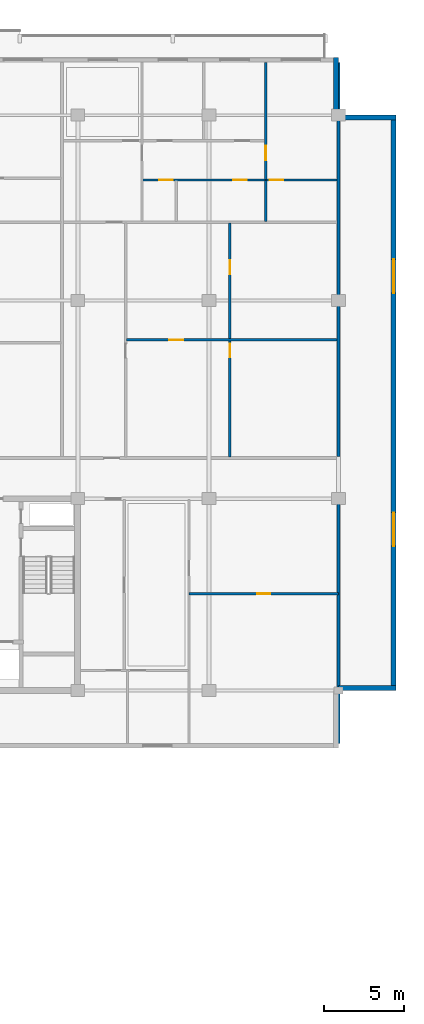
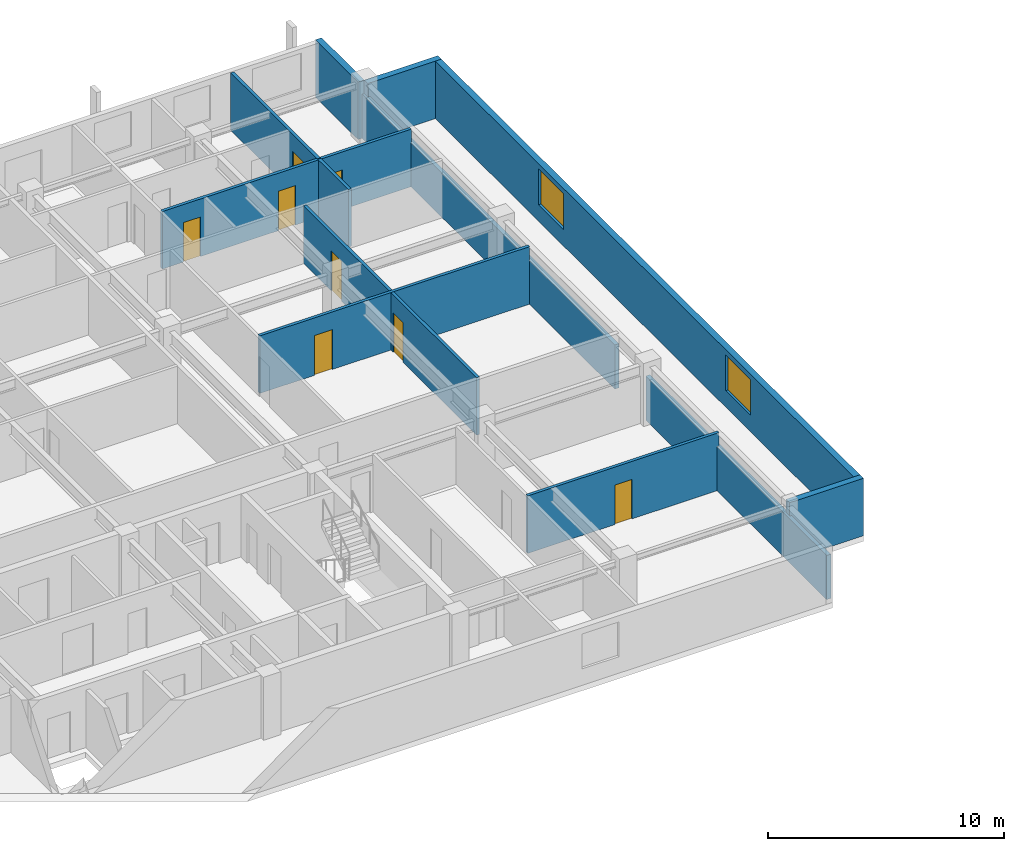
# One storey, part 17 of 24: 12 walls, 8 doors, 2 windows, 10 openings.
"""IFC4 building model written with IfcOpenShell, lengths in metres."""

from ifc_helpers import new_model, si_unit, direction, frame, frame_2d, origin, place, context, subcontext, project, spatial, rectangle, extrude, material, layer, layer_set, type_object, element, fill, save


model = new_model("IFC4")

# Units and contexts
model_context = context("Model", 3, precision=1e-05, world=origin(), true_north=direction((0.0, 1.0)))
body_context = subcontext(model_context, "Body", "Model", "MODEL_VIEW")
ifc_project = project(units=[si_unit("LENGTHUNIT", "METRE"), si_unit("AREAUNIT", "SQUARE_METRE"), si_unit("VOLUMEUNIT", "CUBIC_METRE"), si_unit("PLANEANGLEUNIT", "RADIAN"), si_unit("MASSUNIT", "GRAM", prefix="KILO")], contexts=[model_context])

# Site, building, storey
site_placement = place(None, origin())
site = spatial("IfcSite", under=ifc_project, at=site_placement, CompositionType="ELEMENT")
building_placement = place(site_placement, origin())
building = spatial("IfcBuilding", under=site, at=building_placement, Name="Korimba Cascade Residences", CompositionType="ELEMENT")
storey_placement = place(building_placement, frame((0.0, 0.0, 168.60009765625)))
storey = spatial("IfcBuildingStorey", under=building, at=storey_placement, Name="L48", CompositionType="ELEMENT", Elevation=168.60009765625)

# Wall
ifc_material_1 = material(Name="Precast concrete C40/50", Category="concrete")
ifc_layer_1 = layer(ifc_material_1, 0.300048828125)
ifc_layer_set_1 = layer_set([ifc_layer_1], Name="Precast concrete C40/50")
wall_type_1 = type_object("IfcWallType", Name="EW-STONE-300", PredefinedType="STANDARD", material=ifc_layer_set_1)
wall_1_placement = place(storey_placement, frame((128.39990234375, 55.35009765625, 0.0), z_axis=(0.0, 0.0, 1.0), x_axis=(1.0, 0.0, 0.0)))
element("IfcWall", 1, at=wall_1_placement, inside=storey, type_object=wall_type_1, Name="L48 T1 Perimeter Stone Wall E02", PredefinedType="STANDARD", context=body_context, shape_type="SweptSolid", body=[
    extrude(rectangle(XDim=3.60009765625, YDim=0.300048828125, at=frame_2d((1.800048828125, 0.0))), origin(), (0.0, 0.0, 1.0), 2.969970703125),
])

# Wall, openings, windows
wall_2_placement = place(storey_placement, frame((131.85009765625, 55.199951171875, 0.0), z_axis=(0.0, 0.0, 1.0), x_axis=(0.0, 1.0, 0.0)))
wall_2 = element("IfcWall", 2, at=wall_2_placement, inside=storey, type_object=wall_type_1, Name="L48 T1 Perimeter Stone Wall E03", PredefinedType="STANDARD", context=body_context, shape_type="SweptSolid", body=[
    extrude(rectangle(XDim=36.0, YDim=0.300048828125, at=frame_2d((18.0, 0.0))), origin(), (0.0, 0.0, 1.0), 2.969970703125),
])
opening_1_placement = place(wall_2_placement, frame((9.030029296875, 0.0, 0.85009765625)))
opening_1 = element("IfcOpeningElement", 3, at=opening_1_placement, cuts=wall_2, Name="Opening W-03", PredefinedType="OPENING", context=body_context, shape_type="SweptSolid", body=[
    extrude(rectangle(XDim=2.10009765625, YDim=1.85009765625, at=frame_2d((1.050048828125, 0.925048828125))), frame((0.0, 0.16015625, 0.0), z_axis=(0.0, -1.0, 0.0), x_axis=(1.0, 0.0, 0.0)), (0.0, 0.0, 1.0), 0.320068359375),
])
opening_2_placement = place(wall_2_placement, frame((24.8701171875, 0.0, 0.85009765625)))
opening_2 = element("IfcOpeningElement", 4, at=opening_2_placement, cuts=wall_2, Name="Opening W-03", PredefinedType="OPENING", context=body_context, shape_type="SweptSolid", body=[
    extrude(rectangle(XDim=2.10009765625, YDim=1.85009765625, at=frame_2d((1.050048828125, 0.925048828125))), frame((0.0, 0.16015625, 0.0), z_axis=(0.0, -1.0, 0.0), x_axis=(1.0, 0.0, 0.0)), (0.0, 0.0, 1.0), 0.320068359375),
])
ifc_material_2 = material(Name="Double-Glazed Aluminium Window", Category="aluminium")
window_type = type_object("IfcWindowType", Name="WIN-CRN-2100", PartitioningType="DOUBLE_PANEL_HORIZONTAL", PredefinedType="WINDOW", material=ifc_material_2)
window_1_placement = place(opening_1_placement, origin())
window_1 = element("IfcWindow", 5, at=window_1_placement, inside=storey, type_object=window_type, Name="L48 T1 End View Window 3.1", OverallHeight=1.85009765625, OverallWidth=2.10009765625, PartitioningType="DOUBLE_PANEL_HORIZONTAL", PredefinedType="WINDOW", context=body_context, shape_type="SweptSolid", body=[
    extrude(rectangle(XDim=2.10009765625, YDim=1.85009765625, at=frame_2d((1.050048828125, 0.925048828125))), frame((0.0, 0.030029296875, 0.0), z_axis=(0.0, -1.0, 0.0), x_axis=(1.0, 0.0, 0.0)), (0.0, 0.0, 1.0), 0.06005859375),
])
fill(opening_1, window_1)
window_2_placement = place(opening_2_placement, origin())
window_2 = element("IfcWindow", 6, at=window_2_placement, inside=storey, type_object=window_type, Name="L48 T1 End View Window 3.2", OverallHeight=1.85009765625, OverallWidth=2.10009765625, PartitioningType="DOUBLE_PANEL_HORIZONTAL", PredefinedType="WINDOW", context=body_context, shape_type="SweptSolid", body=[
    extrude(rectangle(XDim=2.10009765625, YDim=1.85009765625, at=frame_2d((1.050048828125, 0.925048828125))), frame((0.0, 0.030029296875, 0.0), z_axis=(0.0, -1.0, 0.0), x_axis=(1.0, 0.0, 0.0)), (0.0, 0.0, 1.0), 0.06005859375),
])
fill(opening_2, window_2)

# Walls
for number, where, z_axis, x_axis, name in (
    (7, (132.0, 91.050048828125, 0.0), (0.0, 0.0, 1.0), (-1.0, 0.0, 0.0), "L48 T1 Perimeter Stone Wall E04"),
    (8, (128.25, 91.199951171875, 0.0), (0.0, 0.0, 1.0), (0.0, 1.0, 0.0), "L48 T1 Perimeter Stone Wall E05"),
):
    element("IfcWall", number, at=place(storey_placement, frame(where, z_axis=z_axis, x_axis=x_axis)), inside=storey, type_object=wall_type_1, Name=name, PredefinedType="STANDARD", context=body_context, shape_type="SweptSolid", body=[
        extrude(rectangle(XDim=3.60009765625, YDim=0.300048828125, at=frame_2d((1.800048828125, 0.0))), origin(), (0.0, 0.0, 1.0), 2.969970703125),
    ])
ifc_layer_2 = layer(ifc_material_1, 0.199951171875)
ifc_layer_set_2 = layer_set([ifc_layer_2], Name="Precast concrete C40/50")
wall_type_2 = type_object("IfcWallType", Name="WAL-IT-200", PredefinedType="PARTITIONING", material=ifc_layer_set_2)
wall_3_placement = place(storey_placement, frame((128.39990234375, 51.89990234375, 0.0), z_axis=(0.0, 0.0, 1.0), x_axis=(0.0, 1.0, 0.0)))
element("IfcWall", 9, at=wall_3_placement, inside=storey, type_object=wall_type_2, Name="L48 Partition Wall WAL-L48-T1-FE-WR", PredefinedType="PARTITIONING", context=body_context, shape_type="SweptSolid", body=[
    extrude(rectangle(XDim=15.300048828125, YDim=0.199951171875, at=frame_2d((7.64990234375, 0.0))), origin(), (0.0, 0.0, 1.0), 2.277099609375),
])
wall_4_placement = place(storey_placement, frame((128.39990234375, 69.830078125, 0.0), z_axis=(0.0, 0.0, 1.0), x_axis=(0.0, 1.0, 0.0)))
element("IfcWall", 10, at=wall_4_placement, inside=storey, type_object=wall_type_2, Name="L48 Partition Wall WAL-L48-T1-BNDWR", PredefinedType="PARTITIONING", context=body_context, shape_type="SweptSolid", body=[
    extrude(rectangle(XDim=24.669921875, YDim=0.199951171875, at=frame_2d((12.3349609375, 0.0))), origin(), (0.0, 0.0, 1.0), 2.277099609375),
])

# Wall, opening, door
ifc_material_3 = material(Name="Insulated Acoustic Stud Partition", Category="gypsum")
ifc_layer_3 = layer(ifc_material_3, 0.14990234375)
ifc_layer_set_3 = layer_set([ifc_layer_3], Name="Insulated Acoustic Stud Partition")
wall_type_3 = type_object("IfcWallType", Name="WAL-PART-150", PredefinedType="PARTITIONING", material=ifc_layer_set_3)
wall_5_placement = place(storey_placement, frame((119.050048828125, 61.25, 0.0), z_axis=(0.0, 0.0, 1.0), x_axis=(1.0, 0.0, 0.0)))
wall_5 = element("IfcWall", 11, at=wall_5_placement, inside=storey, type_object=wall_type_3, Name="L48 Partition Wall WAL-L48-T1-FE-STH", PredefinedType="PARTITIONING", context=body_context, shape_type="SweptSolid", body=[
    extrude(rectangle(XDim=9.349853515625, YDim=0.14990234375, at=frame_2d((4.6748046875, 0.0))), origin(), (0.0, 0.0, 1.0), 2.969970703125),
])
opening_3_placement = place(wall_5_placement, frame((4.2548828125, 0.0, 0.0)))
opening_3 = element("IfcOpeningElement", 12, at=opening_3_placement, cuts=wall_5, Name="Opening D-BT1", PredefinedType="OPENING", context=body_context, shape_type="SweptSolid", body=[
    extrude(rectangle(XDim=0.840087890625, YDim=2.0400390625, at=frame_2d((0.419921875, 1.02001953125))), frame((0.0, 0.0849609375, 0.0), z_axis=(0.0, -1.0, 0.0), x_axis=(1.0, 0.0, 0.0)), (0.0, 0.0, 1.0), 0.169921875),
])
ifc_material_4 = material(Name="Moisture-Resistant Bathroom Timber Door", Category="wood")
door_type_1 = type_object("IfcDoorType", Name="DR-INT-850", OperationType="NOTDEFINED", PredefinedType="DOOR", material=ifc_material_4)
door_1_placement = place(opening_3_placement, origin())
door_1 = element("IfcDoor", 13, at=door_1_placement, inside=storey, type_object=door_type_1, Name="L48-T1-FE Dressing Store Door", OperationType="SINGLE_SWING_RIGHT", OverallHeight=2.0400390625, OverallWidth=0.840087890625, PredefinedType="DOOR", context=body_context, shape_type="SweptSolid", body=[
    extrude(rectangle(XDim=0.840087890625, YDim=2.0400390625, at=frame_2d((0.419921875, 1.02001953125))), frame((0.0, 0.02490234375, 0.0), z_axis=(0.0, -1.0, 0.0), x_axis=(1.0, 0.0, 0.0)), (0.0, 0.0, 1.0), 0.050048828125),
])
fill(opening_3, door_1)

# Wall, openings, doors
wall_6_placement = place(storey_placement, frame((121.610107421875, 69.81005859375, 0.0), z_axis=(0.0, 0.0, 1.0), x_axis=(0.0, 1.0, 0.0)))
wall_6 = element("IfcWall", 14, at=wall_6_placement, inside=storey, type_object=wall_type_3, Name="L48 Partition Wall WAL-L48-T1-U04-FMV", PredefinedType="PARTITIONING", context=body_context, shape_type="SweptSolid", body=[
    extrude(rectangle(XDim=14.64990234375, YDim=0.14990234375, at=frame_2d((7.324951171875, 0.0))), origin(), (0.0, 0.0, 1.0), 2.969970703125),
])
opening_4_placement = place(wall_6_placement, frame((6.235107421875, 0.0, 0.0)))
opening_4 = element("IfcOpeningElement", 15, at=opening_4_placement, cuts=wall_6, Name="Opening D-BT1", PredefinedType="OPENING", context=body_context, shape_type="SweptSolid", body=[
    extrude(rectangle(XDim=0.840087890625, YDim=2.0400390625, at=frame_2d((0.419921875, 1.02001953125))), frame((0.0, 0.0849609375, 0.0), z_axis=(0.0, -1.0, 0.0), x_axis=(1.0, 0.0, 0.0)), (0.0, 0.0, 1.0), 0.169921875),
])
opening_5_placement = place(wall_6_placement, frame((11.4326171875, 0.0, 0.0)))
opening_5 = element("IfcOpeningElement", 16, at=opening_5_placement, cuts=wall_6, Name="Opening D-IN2", PredefinedType="OPENING", context=body_context, shape_type="SweptSolid", body=[
    extrude(rectangle(XDim=0.8798828125, YDim=2.06005859375, at=frame_2d((0.43994140625, 1.030029296875))), frame((0.0, 0.0849609375, 0.0), z_axis=(0.0, -1.0, 0.0), x_axis=(1.0, 0.0, 0.0)), (0.0, 0.0, 1.0), 0.169921875),
])
door_2_placement = place(opening_4_placement, origin())
door_2 = element("IfcDoor", 17, at=door_2_placement, inside=storey, type_object=door_type_1, Name="L48-T1-U04 Wardrobe Door", OperationType="SINGLE_SWING_LEFT", OverallHeight=2.0400390625, OverallWidth=0.840087890625, PredefinedType="DOOR", context=body_context, shape_type="SweptSolid", body=[
    extrude(rectangle(XDim=0.840087890625, YDim=2.0400390625, at=frame_2d((0.419921875, 1.02001953125))), frame((0.0, 0.02490234375, 0.0), z_axis=(0.0, -1.0, 0.0), x_axis=(1.0, 0.0, 0.0)), (0.0, 0.0, 1.0), 0.050048828125),
])
fill(opening_4, door_2)
ifc_material_5 = material(Name="Acoustic Timber Bedroom Door", Category="wood")
door_type_2 = type_object("IfcDoorType", Name="DR-INT-880", OperationType="NOTDEFINED", PredefinedType="DOOR", material=ifc_material_5)
door_3_placement = place(opening_5_placement, origin())
door_3 = element("IfcDoor", 18, at=door_3_placement, inside=storey, type_object=door_type_2, Name="L48-T1-U04 Music Lounge Door", OperationType="SINGLE_SWING_RIGHT", OverallHeight=2.06005859375, OverallWidth=0.8798828125, PredefinedType="DOOR", context=body_context, shape_type="SweptSolid", body=[
    extrude(rectangle(XDim=0.8798828125, YDim=2.06005859375, at=frame_2d((0.43994140625, 1.030029296875))), frame((0.0, 0.02490234375, 0.0), z_axis=(0.0, -1.0, 0.0), x_axis=(1.0, 0.0, 0.0)), (0.0, 0.0, 1.0), 0.050048828125),
])
fill(opening_5, door_3)

# Wall, opening, door
wall_7_placement = place(storey_placement, frame((115.14013671875, 77.135009765625, 0.0), z_axis=(0.0, 0.0, 1.0), x_axis=(1.0, 0.0, 0.0)))
wall_7 = element("IfcWall", 19, at=wall_7_placement, inside=storey, type_object=wall_type_3, Name="L48 Partition Wall WAL-L48-T1-U04-FMH", PredefinedType="PARTITIONING", context=body_context, shape_type="SweptSolid", body=[
    extrude(rectangle(XDim=13.179931640625, YDim=0.14990234375, at=frame_2d((6.58984375, 0.0))), origin(), (0.0, 0.0, 1.0), 2.969970703125),
])
opening_6_placement = place(wall_7_placement, frame((2.6591796875, 0.0, 0.0)))
opening_6 = element("IfcOpeningElement", 20, at=opening_6_placement, cuts=wall_7, Name="Opening D-IN2", PredefinedType="OPENING", context=body_context, shape_type="SweptSolid", body=[
    extrude(rectangle(XDim=0.8798828125, YDim=2.06005859375, at=frame_2d((0.43994140625, 1.030029296875))), frame((0.0, 0.0849609375, 0.0), z_axis=(0.0, -1.0, 0.0), x_axis=(1.0, 0.0, 0.0)), (0.0, 0.0, 1.0), 0.169921875),
])
door_4_placement = place(opening_6_placement, origin())
door_4 = element("IfcDoor", 21, at=door_4_placement, inside=storey, type_object=door_type_2, Name="L48-T1-U04 Library Salon Door", OperationType="SINGLE_SWING_LEFT", OverallHeight=2.06005859375, OverallWidth=0.8798828125, PredefinedType="DOOR", context=body_context, shape_type="SweptSolid", body=[
    extrude(rectangle(XDim=0.8798828125, YDim=2.06005859375, at=frame_2d((0.43994140625, 1.030029296875))), frame((0.0, 0.02490234375, 0.0), z_axis=(0.0, -1.0, 0.0), x_axis=(1.0, 0.0, 0.0)), (0.0, 0.0, 1.0), 0.050048828125),
])
fill(opening_6, door_4)

# Wall
wall_8_placement = place(storey_placement, frame((123.85009765625, 84.5400390625, 0.0), z_axis=(0.0, 0.0, 1.0), x_axis=(0.0, 1.0, 0.0)))
element("IfcWall", 22, at=wall_8_placement, inside=storey, type_object=wall_type_3, Name="L48 Partition Wall WAL-L48-T1-U04-VBATH", PredefinedType="PARTITIONING", context=body_context, shape_type="SweptSolid", body=[
    extrude(rectangle(XDim=2.580078125, YDim=0.14990234375, at=frame_2d((1.2900390625, 0.0))), origin(), (0.0, 0.0, 1.0), 2.969970703125),
])

# Wall, opening, door
wall_9_placement = place(storey_placement, frame((123.85009765625, 87.159912109375, 0.0), z_axis=(0.0, 0.0, 1.0), x_axis=(0.0, 1.0, 0.0)))
wall_9 = element("IfcWall", 23, at=wall_9_placement, inside=storey, type_object=wall_type_3, Name="L48 Partition Wall WAL-L48-T1-U04-V2FULL", PredefinedType="PARTITIONING", context=body_context, shape_type="SweptSolid", body=[
    extrude(rectangle(XDim=7.340087890625, YDim=0.14990234375, at=frame_2d((3.669921875, 0.0))), origin(), (0.0, 0.0, 1.0), 2.969970703125),
])
opening_7_placement = place(wall_9_placement, frame((1.199951171875, 0.0, 0.0)))
opening_7 = element("IfcOpeningElement", 24, at=opening_7_placement, cuts=wall_9, Name="Opening D-IN1", PredefinedType="OPENING", context=body_context, shape_type="SweptSolid", body=[
    extrude(rectangle(XDim=0.919921875, YDim=2.080078125, at=frame_2d((0.4599609375, 1.0400390625))), frame((0.0, 0.0849609375, 0.0), z_axis=(0.0, -1.0, 0.0), x_axis=(1.0, 0.0, 0.0)), (0.0, 0.0, 1.0), 0.169921875),
])
ifc_material_6 = material(Name="Acoustic Timber Living Door", Category="wood")
door_type_3 = type_object("IfcDoorType", Name="DR-INT-920", OperationType="NOTDEFINED", PredefinedType="DOOR", material=ifc_material_6)
door_5_placement = place(opening_7_placement, origin())
door_5 = element("IfcDoor", 25, at=door_5_placement, inside=storey, type_object=door_type_3, Name="L48-T1-U04 Master Bedroom Door", OperationType="SINGLE_SWING_RIGHT", OverallHeight=2.080078125, OverallWidth=0.919921875, PredefinedType="DOOR", context=body_context, shape_type="SweptSolid", body=[
    extrude(rectangle(XDim=0.919921875, YDim=2.080078125, at=frame_2d((0.4599609375, 1.0400390625))), frame((0.0, 0.02490234375, 0.0), z_axis=(0.0, -1.0, 0.0), x_axis=(1.0, 0.0, 0.0)), (0.0, 0.0, 1.0), 0.050048828125),
])
fill(opening_7, door_5)

# Wall, openings, doors
wall_10_placement = place(storey_placement, frame((116.150146484375, 87.139892578125, 0.0), z_axis=(0.0, 0.0, 1.0), x_axis=(1.0, 0.0, 0.0)))
wall_10 = element("IfcWall", 26, at=wall_10_placement, inside=storey, type_object=wall_type_3, Name="L48 Partition Wall WAL-L48-T1-U04-HWALL", PredefinedType="PARTITIONING", context=body_context, shape_type="SweptSolid", body=[
    extrude(rectangle(XDim=12.169921875, YDim=0.14990234375, at=frame_2d((6.0849609375, 0.0))), origin(), (0.0, 0.0, 1.0), 2.969970703125),
])
opening_8_placement = place(wall_10_placement, frame((1.033935546875, 0.0, 0.0)))
opening_8 = element("IfcOpeningElement", 27, at=opening_8_placement, cuts=wall_10, Name="Opening D-BT1", PredefinedType="OPENING", context=body_context, shape_type="SweptSolid", body=[
    extrude(rectangle(XDim=0.840087890625, YDim=2.0400390625, at=frame_2d((0.419921875, 1.02001953125))), frame((0.0, 0.0849609375, 0.0), z_axis=(0.0, -1.0, 0.0), x_axis=(1.0, 0.0, 0.0)), (0.0, 0.0, 1.0), 0.169921875),
])
opening_9_placement = place(wall_10_placement, frame((5.664794921875, 0.0, 0.0)))
opening_9 = element("IfcOpeningElement", 28, at=opening_9_placement, cuts=wall_10, Name="Opening D-BT1", PredefinedType="OPENING", context=body_context, shape_type="SweptSolid", body=[
    extrude(rectangle(XDim=0.840087890625, YDim=2.0400390625, at=frame_2d((0.419921875, 1.02001953125))), frame((0.0, 0.0849609375, 0.0), z_axis=(0.0, -1.0, 0.0), x_axis=(1.0, 0.0, 0.0)), (0.0, 0.0, 1.0), 0.169921875),
])
opening_10_placement = place(wall_10_placement, frame((7.949951171875, 0.0, 0.0)))
opening_10 = element("IfcOpeningElement", 29, at=opening_10_placement, cuts=wall_10, Name="Opening D-BT1", PredefinedType="OPENING", context=body_context, shape_type="SweptSolid", body=[
    extrude(rectangle(XDim=0.840087890625, YDim=2.0400390625, at=frame_2d((0.419921875, 1.02001953125))), frame((0.0, 0.0849609375, 0.0), z_axis=(0.0, -1.0, 0.0), x_axis=(1.0, 0.0, 0.0)), (0.0, 0.0, 1.0), 0.169921875),
])
door_6_placement = place(opening_8_placement, origin())
door_6 = element("IfcDoor", 30, at=door_6_placement, inside=storey, type_object=door_type_1, Name="L48-T1-U04 Family Bathroom Door", OperationType="SINGLE_SWING_LEFT", OverallHeight=2.0400390625, OverallWidth=0.840087890625, PredefinedType="DOOR", context=body_context, shape_type="SweptSolid", body=[
    extrude(rectangle(XDim=0.840087890625, YDim=2.0400390625, at=frame_2d((0.419921875, 1.02001953125))), frame((0.0, 0.02490234375, 0.0), z_axis=(0.0, -1.0, 0.0), x_axis=(1.0, 0.0, 0.0)), (0.0, 0.0, 1.0), 0.050048828125),
])
fill(opening_8, door_6)
door_7_placement = place(opening_9_placement, origin())
door_7 = element("IfcDoor", 31, at=door_7_placement, inside=storey, type_object=door_type_1, Name="L48-T1-U04 Dressing Room Door", OperationType="SINGLE_SWING_RIGHT", OverallHeight=2.0400390625, OverallWidth=0.840087890625, PredefinedType="DOOR", context=body_context, shape_type="SweptSolid", body=[
    extrude(rectangle(XDim=0.840087890625, YDim=2.0400390625, at=frame_2d((0.419921875, 1.02001953125))), frame((0.0, 0.02490234375, 0.0), z_axis=(0.0, -1.0, 0.0), x_axis=(1.0, 0.0, 0.0)), (0.0, 0.0, 1.0), 0.050048828125),
])
fill(opening_9, door_7)
door_8_placement = place(opening_10_placement, origin())
door_8 = element("IfcDoor", 32, at=door_8_placement, inside=storey, type_object=door_type_1, Name="L48-T1-U04 En-Suite Door", OperationType="SINGLE_SWING_LEFT", OverallHeight=2.0400390625, OverallWidth=0.840087890625, PredefinedType="DOOR", context=body_context, shape_type="SweptSolid", body=[
    extrude(rectangle(XDim=0.840087890625, YDim=2.0400390625, at=frame_2d((0.419921875, 1.02001953125))), frame((0.0, 0.02490234375, 0.0), z_axis=(0.0, -1.0, 0.0), x_axis=(1.0, 0.0, 0.0)), (0.0, 0.0, 1.0), 0.050048828125),
])
fill(opening_10, door_8)

save(model, "model.ifc")
